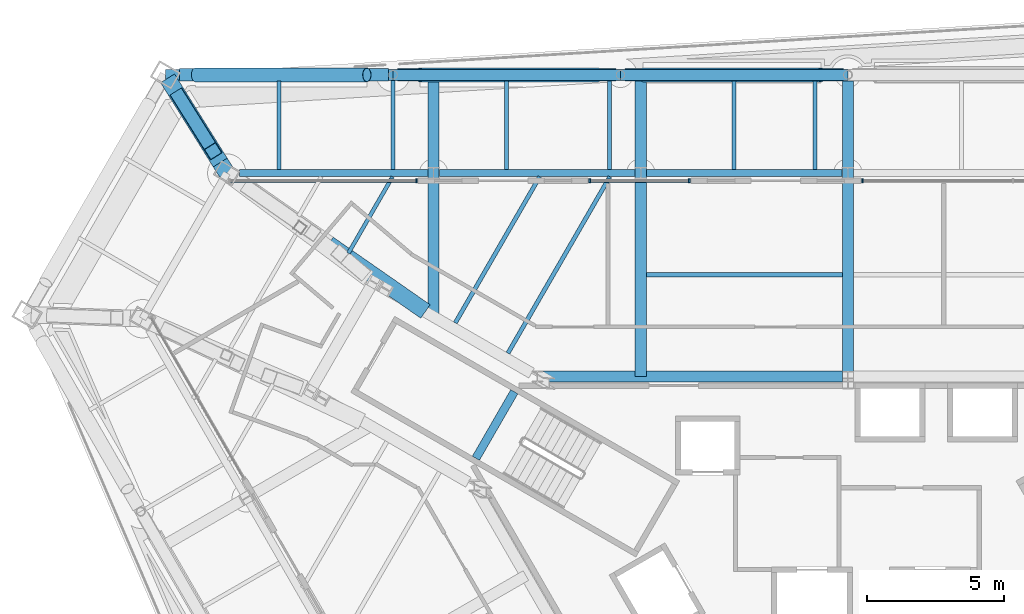
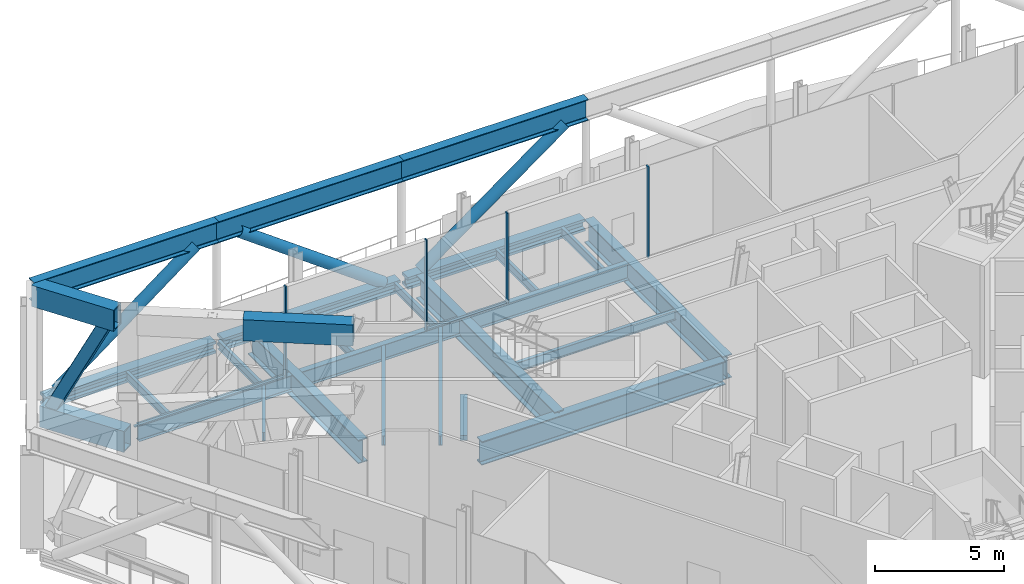
# One storey, part 10 of 25: 27 beams, 10 members, 3 elements without a shape of their own.
"""IFC4 building model written with IfcOpenShell, lengths in metres."""

from ifc_helpers import new_model, si_unit, direction, frame, origin, origin_2d, place, context, subcontext, project, spatial, rectangle, hollow_rectangle, hollow_circle, i_section, extrude, material, material_profile, profile_set, type_object, element, aggregate, save


model = new_model("IFC4")

# Units and contexts
model_context = context("Model", 3, precision=1e-05, world=origin(), true_north=direction((0.0, 1.0)))
body_context = subcontext(model_context, "Body", "Model", "MODEL_VIEW")
ifc_project = project(units=[si_unit("LENGTHUNIT", "METRE"), si_unit("AREAUNIT", "SQUARE_METRE"), si_unit("VOLUMEUNIT", "CUBIC_METRE"), si_unit("PLANEANGLEUNIT", "RADIAN"), si_unit("MASSUNIT", "GRAM", prefix="KILO")], contexts=[model_context])

# Site, building, storey
site_placement = place(None, origin())
site = spatial("IfcSite", under=ifc_project, at=site_placement, CompositionType="ELEMENT")
building_placement = place(site_placement, origin())
building = spatial("IfcBuilding", under=site, at=building_placement, Name="Verrane Prism Tower", CompositionType="ELEMENT")
storey_placement = place(building_placement, frame((0.0, 0.0, 143.199951171875)))
storey = spatial("IfcBuildingStorey", under=building, at=storey_placement, Name="L35", CompositionType="ELEMENT", Elevation=143.199951171875)

# Beams
ifc_material_1 = material(Name="Steel A992", Category="steel")
ifc_material_profile_1 = material_profile(ifc_material_1, i_section(OverallWidth=0.45458984375, OverallDepth=0.56884765625, WebThickness=0.077880859375, FlangeThickness=0.124755859375, FilletRadius=0.01513671875, at=origin_2d()), Name="W14x730")
ifc_profile_set_1 = profile_set([ifc_material_profile_1], Name="Steel A992")
beam_type_1 = type_object("IfcBeamType", Name="Belt truss chord W14x730", PredefinedType="BEAM", material=ifc_profile_set_1)
for number, where, z_axis, x_axis, name in (
    (1, (-0.16259765625, 20.18994140625, -0.445556640625), (-1.0, 0.0, 0.0), (0.0, -1.0, 0.0), "Belt truss chord L35"),
    (2, (-8.45263671875, 20.18994140625, -0.445556640625), (-1.0, 0.0, 0.0), (0.0, -1.0, 0.0), "Belt truss chord L35"),
):
    element("IfcBeam", number, at=place(storey_placement, frame(where, z_axis=z_axis, x_axis=x_axis)), inside=storey, type_object=beam_type_1, Name=name, PredefinedType="BEAM", context=body_context, shape_type="SweptSolid", body=[
        extrude(i_section(OverallWidth=0.45458984375, OverallDepth=0.56884765625, WebThickness=0.077880859375, FlangeThickness=0.124755859375, FilletRadius=0.01513671875, at=origin_2d()), origin(), (0.0, 0.0, 1.0), 7.96484375),
    ])
beam_1_placement = place(storey_placement, frame((-16.74267578125, 20.18994140625, -0.445556640625), z_axis=(-1.0, 0.0, 0.0), x_axis=(0.0, -1.0, 0.0)))
element("IfcBeam", 3, at=beam_1_placement, inside=storey, type_object=beam_type_1, Name="Belt truss chord L35", PredefinedType="BEAM", context=body_context, shape_type="SweptSolid", body=[
    extrude(i_section(OverallWidth=0.45458984375, OverallDepth=0.56884765625, WebThickness=0.077880859375, FlangeThickness=0.124755859375, FilletRadius=0.01513671875, at=origin_2d()), origin(), (0.0, 0.0, 1.0), 7.61767578125),
])
ifc_material_2 = material(Name="Steel A992", Category="steel")
ifc_material_profile_2 = material_profile(ifc_material_2, i_section(OverallWidth=0.4013671875, OverallDepth=1.000732421875, WebThickness=0.01904296875, FlangeThickness=0.0361328125, FilletRadius=0.030029296875, at=origin_2d()), Name="W40x249")
ifc_profile_set_2 = profile_set([ifc_material_profile_2], Name="Steel A992")
beam_type_2 = type_object("IfcBeamType", Name="Belt truss chord W40x249", PredefinedType="BEAM", material=ifc_profile_set_2)
for number, where, z_axis, x_axis, name in (
    (4, (0.0, 20.18994140625, 4.939697265625), (-1.0, 0.0, 0.0), (0.0, -1.0, 0.0), "Belt truss chord L35"),
    (5, (-8.2900390625, 20.18994140625, 4.939697265625), (-1.0, 0.0, 0.0), (0.0, -1.0, 0.0), "Belt truss chord L35"),
):
    element("IfcBeam", number, at=place(storey_placement, frame(where, z_axis=z_axis, x_axis=x_axis)), inside=storey, type_object=beam_type_2, Name=name, PredefinedType="BEAM", context=body_context, shape_type="SweptSolid", body=[
        extrude(i_section(OverallWidth=0.4013671875, OverallDepth=1.000732421875, WebThickness=0.01904296875, FlangeThickness=0.0361328125, FilletRadius=0.030029296875, at=origin_2d()), origin(), (0.0, 0.0, 1.0), 8.2900390625),
    ])
beam_2_placement = place(storey_placement, frame((-16.580078125, 20.18994140625, 4.939697265625), z_axis=(-1.0, 0.0, 0.0), x_axis=(0.0, -1.0, 0.0)))
element("IfcBeam", 6, at=beam_2_placement, inside=storey, type_object=beam_type_2, Name="Belt truss chord L35", PredefinedType="BEAM", context=body_context, shape_type="SweptSolid", body=[
    extrude(i_section(OverallWidth=0.4013671875, OverallDepth=1.000732421875, WebThickness=0.01904296875, FlangeThickness=0.0361328125, FilletRadius=0.030029296875, at=origin_2d()), origin(), (0.0, 0.0, 1.0), 8.2998046875),
])

# Members
ifc_material_3 = material(Name="Steel A500 Grade C", Category="steel")
ifc_material_profile_3 = material_profile(ifc_material_3, hollow_circle(Radius=0.25390625, WallThickness=0.0126953125, at=origin_2d()), Name="HSS20.000x0.500")
ifc_profile_set_3 = profile_set([ifc_material_profile_3], Name="Steel A500 Grade C")
member_type_1 = type_object("IfcMemberType", Name="Belt truss diagonal HSS20.000x0.500", PredefinedType="BRACE", material=ifc_profile_set_3)
for number, where, z_axis, x_axis, name in (
    (7, (-7.461669921875, 20.18994140625, -0.160888671875), (0.809215173092, 0.0, 0.587512385944), (0.0, 1.0, 0.0), "Belt truss diagonal L35"),
    (8, (-9.118408203125, 20.18994140625, -0.160888671875), (-0.809215173092, 0.0, 0.587512385944), (0.0, -1.0, 0.0), "Belt truss diagonal L35"),
):
    element("IfcMember", number, at=place(storey_placement, frame(where, z_axis=z_axis, x_axis=x_axis)), inside=storey, type_object=member_type_1, Name=name, PredefinedType="BRACE", context=body_context, shape_type="SweptSolid", body=[
        extrude(hollow_circle(Radius=0.25390625, WallThickness=0.0126953125, at=origin_2d()), origin(), (0.0, 0.0, 1.0), 8.016845703125),
    ])
member_1_placement = place(storey_placement, frame((-23.77880859375, 20.18994140625, -0.160888671875), z_axis=(0.798371479892, 0.0, 0.602165243181), x_axis=(0.0, 1.0, 0.0)))
element("IfcMember", 9, at=member_1_placement, inside=storey, type_object=member_type_1, Name="Belt truss diagonal L35", PredefinedType="BRACE", context=body_context, shape_type="SweptSolid", body=[
    extrude(hollow_circle(Radius=0.25390625, WallThickness=0.0126953125, at=origin_2d()), origin(), (0.0, 0.0, 1.0), 7.82177734375),
])

# Beams
ifc_material_4 = material(Name="Steel A992", Category="steel")
ifc_material_profile_4 = material_profile(ifc_material_4, i_section(OverallWidth=0.140380859375, OverallDepth=0.40380859375, WebThickness=0.007080078125, FlangeThickness=0.01123046875, FilletRadius=0.01025390625, at=origin_2d()), Name="W16x31")
ifc_profile_set_4 = profile_set([ifc_material_profile_4], Name="Steel A992")
beam_type_3 = type_object("IfcBeamType", Name="Floor beam W16x31", PredefinedType="BEAM", material=ifc_profile_set_4)
for number, where, z_axis, x_axis, name in (
    (10, (-1.199951171875, 16.743408203125, -0.36181640625), (0.0, 1.0, 0.0), (-1.0, 0.0, 0.0), "Floor beam L35"),
    (11, (-4.146728515625, 16.743408203125, -0.36181640625), (0.0, 1.0, 0.0), (-1.0, 0.0, 0.0), "Floor beam L35"),
    (12, (-8.693359375, 16.743408203125, -0.36181640625), (0.0, 1.0, 0.0), (-1.0, 0.0, 0.0), "Floor beam L35"),
    (13, (-12.43994140625, 16.743408203125, -0.36181640625), (0.0, 1.0, 0.0), (-1.0, 0.0, 0.0), "Floor beam L35"),
):
    element("IfcBeam", number, at=place(storey_placement, frame(where, z_axis=z_axis, x_axis=x_axis)), inside=storey, type_object=beam_type_3, Name=name, PredefinedType="BEAM", context=body_context, shape_type="SweptSolid", body=[
        extrude(i_section(OverallWidth=0.140380859375, OverallDepth=0.40380859375, WebThickness=0.007080078125, FlangeThickness=0.01123046875, FilletRadius=0.01025390625, at=origin_2d()), origin(), (0.0, 0.0, 1.0), 3.218994140625),
    ])
beam_3_placement = place(storey_placement, frame((-16.586669921875, 16.743408203125, -0.36181640625), z_axis=(0.0, 1.0, 0.0), x_axis=(-1.0, 0.0, 0.0)))
element("IfcBeam", 14, at=beam_3_placement, inside=storey, type_object=beam_type_3, Name="Floor beam L35", PredefinedType="BEAM", context=body_context, shape_type="SweptSolid", body=[
    extrude(i_section(OverallWidth=0.140380859375, OverallDepth=0.40380859375, WebThickness=0.007080078125, FlangeThickness=0.01123046875, FilletRadius=0.01025390625, at=origin_2d()), origin(), (0.0, 0.0, 1.0), 3.24609375),
])
beam_4_placement = place(storey_placement, frame((-20.7333984375, 16.743408203125, -0.36181640625), z_axis=(0.0, 1.0, 0.0), x_axis=(-1.0, 0.0, 0.0)))
element("IfcBeam", 15, at=beam_4_placement, inside=storey, type_object=beam_type_3, Name="Floor beam L35", PredefinedType="BEAM", context=body_context, shape_type="SweptSolid", body=[
    extrude(i_section(OverallWidth=0.140380859375, OverallDepth=0.40380859375, WebThickness=0.007080078125, FlangeThickness=0.01123046875, FilletRadius=0.01025390625, at=origin_2d()), origin(), (0.0, 0.0, 1.0), 3.218994140625),
])
beam_5_placement = place(storey_placement, frame((-18.20703125, 13.688232421875, -0.36181640625), z_axis=(0.499947822806, 0.866055526205, 0.0), x_axis=(-0.866055526205, 0.499947822806, 0.0)))
element("IfcBeam", 16, at=beam_5_placement, inside=storey, type_object=beam_type_3, Name="Floor beam L35", PredefinedType="BEAM", context=body_context, shape_type="SweptSolid", body=[
    extrude(i_section(OverallWidth=0.140380859375, OverallDepth=0.40380859375, WebThickness=0.007080078125, FlangeThickness=0.01123046875, FilletRadius=0.01025390625, at=origin_2d()), origin(), (0.0, 0.0, 1.0), 3.219482421875),
])
ifc_material_5 = material(Name="Steel A992", Category="steel")
ifc_material_profile_5 = material_profile(ifc_material_5, i_section(OverallWidth=0.15234375, OverallDepth=0.449462890625, WebThickness=0.007568359375, FlangeThickness=0.0107421875, FilletRadius=0.01025390625, at=origin_2d()), Name="W18x35")
ifc_profile_set_5 = profile_set([ifc_material_profile_5], Name="Steel A992")
beam_type_4 = type_object("IfcBeamType", Name="Floor beam W18x35", PredefinedType="BEAM", material=ifc_profile_set_5)
beam_6_placement = place(storey_placement, frame((-7.347900390625, 12.905029296875, -0.384765625), z_axis=(1.0, 0.0, 0.0), x_axis=(0.0, 1.0, 0.0)))
element("IfcBeam", 17, at=beam_6_placement, inside=storey, type_object=beam_type_4, Name="Floor beam L35", PredefinedType="BEAM", context=body_context, shape_type="SweptSolid", body=[
    extrude(i_section(OverallWidth=0.15234375, OverallDepth=0.449462890625, WebThickness=0.007568359375, FlangeThickness=0.0107421875, FilletRadius=0.01025390625, at=origin_2d()), origin(), (0.0, 0.0, 1.0), 7.14599609375),
])
beam_7_placement = place(storey_placement, frame((-12.39111328125, 10.0439453125, -0.384765625), z_axis=(0.499999386358, 0.86602575807, 0.0), x_axis=(-0.86602575807, 0.499999386358, 0.0)))
element("IfcBeam", 18, at=beam_7_placement, inside=storey, type_object=beam_type_4, Name="Floor beam L35", PredefinedType="BEAM", context=body_context, shape_type="SweptSolid", body=[
    extrude(i_section(OverallWidth=0.15234375, OverallDepth=0.449462890625, WebThickness=0.007568359375, FlangeThickness=0.0107421875, FilletRadius=0.01025390625, at=origin_2d()), origin(), (0.0, 0.0, 1.0), 7.427734375),
])
beam_8_placement = place(storey_placement, frame((-14.310302734375, 11.148681640625, -0.384765625), z_axis=(0.49998467404, 0.866034252051, 0.0), x_axis=(-0.866034252051, 0.49998467404, 0.0)))
element("IfcBeam", 19, at=beam_8_placement, inside=storey, type_object=beam_type_4, Name="Floor beam L35", PredefinedType="BEAM", context=body_context, shape_type="SweptSolid", body=[
    extrude(i_section(OverallWidth=0.15234375, OverallDepth=0.449462890625, WebThickness=0.007568359375, FlangeThickness=0.0107421875, FilletRadius=0.01025390625, at=origin_2d()), origin(), (0.0, 0.0, 1.0), 6.152099609375),
])

# Curtain wall, member
ifc_material_6 = material(Name="Aluminium framed insulated glazing", Category="aluminium")
curtain_wall_type = type_object("IfcCurtainWallType", Name="Curtain wall CW-B 5600 module", PredefinedType="NOTDEFINED", material=ifc_material_6)
curtain_wall_1_placement = place(storey_placement, origin())
curtain_wall_1 = element("IfcCurtainWall", 20, at=curtain_wall_1_placement, inside=storey, type_object=curtain_wall_type, Name="Refuge lounge glazing north face L35 1", PredefinedType="NOTDEFINED")
ifc_material_7 = material(Name="Aluminium alloy 6063-T6", Category="aluminium")
ifc_material_profile_6 = material_profile(ifc_material_7, rectangle(XDim=0.159912109375, YDim=0.06005859375, at=origin_2d()), Name="Mullion 60x160 aluminium")
ifc_profile_set_6 = profile_set([ifc_material_profile_6], Name="Aluminium alloy 6063-T6")
member_type_2 = type_object("IfcMemberType", Name="Mullion 60x160 aluminium", PredefinedType="MULLION", material=ifc_profile_set_6)
member_2_placement = place(storey_placement, frame((0.537109375, 16.3310546875, 0.0), z_axis=(0.0, 0.0, 1.0), x_axis=(0.0, -1.0, 0.0)))
member_2 = element("IfcMember", 21, at=member_2_placement, type_object=member_type_2, Name="CW35.2.1 mullion 5", PredefinedType="MULLION", context=body_context, shape_type="SweptSolid", body=[
    extrude(rectangle(XDim=0.159912109375, YDim=0.06005859375, at=origin_2d()), origin(), (0.0, 0.0, 1.0), 4.322509765625),
])
aggregate(curtain_wall_1, [member_2])

# Curtain wall, members
curtain_wall_2_placement = place(storey_placement, origin())
curtain_wall_2 = element("IfcCurtainWall", 22, at=curtain_wall_2_placement, inside=storey, type_object=curtain_wall_type, Name="Refuge lounge glazing north face L35 2", PredefinedType="NOTDEFINED")
member_3_placement = place(storey_placement, frame((-5.782958984375, 16.3310546875, 0.0), z_axis=(0.0, 0.0, 1.0), x_axis=(0.0, -1.0, 0.0)))
member_3 = element("IfcMember", 23, at=member_3_placement, type_object=member_type_2, Name="CW35.2.2 mullion 1", PredefinedType="MULLION", context=body_context, shape_type="SweptSolid", body=[
    extrude(rectangle(XDim=0.159912109375, YDim=0.06005859375, at=origin_2d()), origin(), (0.0, 0.0, 1.0), 4.322509765625),
])
member_4_placement = place(storey_placement, frame((-9.406982421875, 16.3310546875, 0.0), z_axis=(0.0, 0.0, 1.0), x_axis=(0.0, -1.0, 0.0)))
member_4 = element("IfcMember", 24, at=member_4_placement, type_object=member_type_2, Name="CW35.2.2 mullion 2", PredefinedType="MULLION", context=body_context, shape_type="SweptSolid", body=[
    extrude(rectangle(XDim=0.159912109375, YDim=0.06005859375, at=origin_2d()), origin(), (0.0, 0.0, 1.0), 4.322509765625),
])

# Curtain wall, member
curtain_wall_3_placement = place(storey_placement, origin())
curtain_wall_3 = element("IfcCurtainWall", 25, at=curtain_wall_3_placement, inside=storey, type_object=curtain_wall_type, Name="Refuge lounge glazing north face L35 3", PredefinedType="NOTDEFINED")
member_5_placement = place(storey_placement, frame((-15.72705078125, 16.3310546875, 0.0), z_axis=(0.0, 0.0, 1.0), x_axis=(0.0, -1.0, 0.0)))
member_5 = element("IfcMember", 26, at=member_5_placement, type_object=member_type_2, Name="CW35.2.3 mullion 1", PredefinedType="MULLION", context=body_context, shape_type="SweptSolid", body=[
    extrude(rectangle(XDim=0.159912109375, YDim=0.06005859375, at=origin_2d()), origin(), (0.0, 0.0, 1.0), 4.322509765625),
])

# Beams
ifc_material_8 = material(Name="Steel A572 Grade 50", Category="steel")
ifc_material_profile_7 = material_profile(ifc_material_8, hollow_rectangle(XDim=0.60009765625, YDim=1.0, WallThickness=0.06005859375, at=origin_2d()), Name="BOX 1000x600x60")
ifc_profile_set_7 = profile_set([ifc_material_profile_7], Name="Steel A572 Grade 50")
beam_type_5 = type_object("IfcBeamType", Name="Outrigger truss chord BOX 1000x600x60", PredefinedType="BEAM", material=ifc_profile_set_7)
beam_9_placement = place(storey_placement, frame((-24.60986328125, 19.758056640625, -0.659912109375), z_axis=(0.53048343398, -0.847695302731, 0.0), x_axis=(0.847695302731, 0.53048343398, 0.0)))
element("IfcBeam", 27, at=beam_9_placement, inside=storey, type_object=beam_type_5, Name="Outrigger truss chord L35", PredefinedType="BEAM", context=body_context, shape_type="SweptSolid", body=[
    extrude(hollow_rectangle(XDim=0.60009765625, YDim=1.0, WallThickness=0.06005859375, at=origin_2d()), origin(), (0.0, 0.0, 1.0), 3.713623046875),
])
beam_10_placement = place(storey_placement, frame((-24.80029296875, 20.062744140625, 4.93994140625), z_axis=(0.530423221315, -0.847732980537, 0.0), x_axis=(0.847732980537, 0.530423221315, 0.0)))
element("IfcBeam", 28, at=beam_10_placement, inside=storey, type_object=beam_type_5, Name="Outrigger truss chord L35", PredefinedType="BEAM", context=body_context, shape_type="SweptSolid", body=[
    extrude(hollow_rectangle(XDim=0.60009765625, YDim=1.0, WallThickness=0.06005859375, at=origin_2d()), origin(), (0.0, 0.0, 1.0), 3.6201171875),
])
beam_11_placement = place(storey_placement, frame((-18.929931640625, 14.02490234375, 4.93994140625), z_axis=(0.820503788975, -0.57164108694, 0.0), x_axis=(0.57164108694, 0.820503788975, 0.0)))
element("IfcBeam", 29, at=beam_11_placement, inside=storey, type_object=beam_type_5, Name="Outrigger truss chord L35", PredefinedType="BEAM", context=body_context, shape_type="SweptSolid", body=[
    extrude(hollow_rectangle(XDim=0.60009765625, YDim=1.0, WallThickness=0.06005859375, at=origin_2d()), origin(), (0.0, 0.0, 1.0), 4.3037109375),
])

# Member
ifc_material_9 = material(Name="Steel A500 Grade C", Category="steel")
ifc_material_profile_8 = material_profile(ifc_material_9, hollow_rectangle(XDim=0.508056640625, YDim=0.508056640625, WallThickness=0.01904296875, InnerFilletRadius=0.009521484375, OuterFilletRadius=0.028564453125, at=origin_2d()), Name="HSS20x20x3/4")
ifc_profile_set_8 = profile_set([ifc_material_profile_8], Name="Steel A500 Grade C")
member_type_3 = type_object("IfcMemberType", Name="Outrigger truss diagonal HSS20x20x3/4", PredefinedType="BRACE", material=ifc_profile_set_8)
member_6_placement = place(storey_placement, frame((-24.38037109375, 19.391357421875, -0.219970703125), z_axis=(0.235534813834, -0.376382964019, 0.896024115673), x_axis=(0.847699092427, 0.53047737812, 0.0)))
element("IfcMember", 30, at=member_6_placement, inside=storey, type_object=member_type_3, Name="Outrigger truss diagonal L35", PredefinedType="BRACE", context=body_context, shape_type="SweptSolid", body=[
    extrude(hollow_rectangle(XDim=0.508056640625, YDim=0.508056640625, WallThickness=0.01904296875, InnerFilletRadius=0.009521484375, OuterFilletRadius=0.028564453125, at=origin_2d()), origin(), (0.0, 0.0, 1.0), 5.267578125),
])

# Beams
ifc_material_10 = material(Name="Steel A992", Category="steel")
ifc_material_profile_9 = material_profile(ifc_material_10, i_section(OverallWidth=0.2666015625, OverallDepth=0.7568359375, WebThickness=0.013916015625, FlangeThickness=0.019287109375, FilletRadius=0.0166015625, at=origin_2d()), Name="W30x108")
ifc_profile_set_9 = profile_set([ifc_material_profile_9], Name="Steel A992")
beam_type_6 = type_object("IfcBeamType", Name="Spandrel beam W30x108", PredefinedType="SPANDREL", material=ifc_profile_set_9)
beam_12_placement = place(storey_placement, frame((-0.205810546875, 16.610107421875, -0.538330078125), z_axis=(-1.0, 0.0, 0.0), x_axis=(0.0, -1.0, 0.0)))
element("IfcBeam", 31, at=beam_12_placement, inside=storey, type_object=beam_type_6, Name="Spandrel beam L35", PredefinedType="SPANDREL", context=body_context, shape_type="SweptSolid", body=[
    extrude(i_section(OverallWidth=0.2666015625, OverallDepth=0.7568359375, WebThickness=0.013916015625, FlangeThickness=0.019287109375, FilletRadius=0.0166015625, at=origin_2d()), origin(), (0.0, 0.0, 1.0), 7.138427734375),
])
beam_13_placement = place(storey_placement, frame((-7.755615234375, 16.610107421875, -0.538330078125), z_axis=(-1.0, 0.0, 0.0), x_axis=(0.0, -1.0, 0.0)))
element("IfcBeam", 32, at=beam_13_placement, inside=storey, type_object=beam_type_6, Name="Spandrel beam L35", PredefinedType="SPANDREL", context=body_context, shape_type="SweptSolid", body=[
    extrude(i_section(OverallWidth=0.2666015625, OverallDepth=0.7568359375, WebThickness=0.013916015625, FlangeThickness=0.019287109375, FilletRadius=0.0166015625, at=origin_2d()), origin(), (0.0, 0.0, 1.0), 7.138671875),
])
beam_14_placement = place(storey_placement, frame((-15.3056640625, 16.610107421875, -0.538330078125), z_axis=(-1.0, 0.0, 0.0), x_axis=(0.0, -1.0, 0.0)))
element("IfcBeam", 33, at=beam_14_placement, inside=storey, type_object=beam_type_6, Name="Spandrel beam L35", PredefinedType="SPANDREL", context=body_context, shape_type="SweptSolid", body=[
    extrude(i_section(OverallWidth=0.2666015625, OverallDepth=0.7568359375, WebThickness=0.013916015625, FlangeThickness=0.019287109375, FilletRadius=0.0166015625, at=origin_2d()), origin(), (0.0, 0.0, 1.0), 6.872314453125),
])
ifc_material_11 = material(Name="Concrete C40/50", Category="concrete")
ifc_material_profile_10 = material_profile(ifc_material_11, rectangle(XDim=0.300048828125, YDim=0.25, at=origin_2d()), Name="RC 300x250")
ifc_profile_set_10 = profile_set([ifc_material_profile_10], Name="Concrete C40/50")
beam_type_7 = type_object("IfcBeamType", Name="Stair landing trimmer beam 300x250 concrete C40/50", PredefinedType="BEAM", material=ifc_profile_set_10)
beam_15_placement = place(storey_placement, frame((-13.560546875, 6.212646484375, 2.47509765625), z_axis=(0.500049511043, 0.865996816683, 0.0), x_axis=(-0.865996816683, 0.500049511043, 0.0)))
element("IfcBeam", 34, at=beam_15_placement, inside=storey, type_object=beam_type_7, Name="Stair 2 landing trimmer beam", PredefinedType="BEAM", context=body_context, shape_type="SweptSolid", body=[
    extrude(rectangle(XDim=0.300048828125, YDim=0.25, at=origin_2d()), origin(), (0.0, 0.0, 1.0), 2.800048828125),
])
ifc_material_12 = material(Name="Steel A992", Category="steel")
ifc_material_profile_11 = material_profile(ifc_material_12, i_section(OverallWidth=0.40380859375, OverallDepth=1.11767578125, WebThickness=0.026123046875, FlangeThickness=0.044921875, FilletRadius=0.02001953125, at=origin_2d()), Name="W44x335")
ifc_profile_set_11 = profile_set([ifc_material_profile_11], Name="Steel A992")
beam_type_8 = type_object("IfcBeamType", Name="Transfer girder W44x335", PredefinedType="BEAM", material=ifc_profile_set_11)
beam_16_placement = place(storey_placement, frame((-0.20068359375, 9.199951171875, -0.808837890625), z_axis=(-1.0, 0.0, 0.0), x_axis=(0.0, -1.0, 0.0)))
element("IfcBeam", 35, at=beam_16_placement, inside=storey, type_object=beam_type_8, Name="Transfer girder L35", PredefinedType="BEAM", context=body_context, shape_type="SweptSolid", body=[
    extrude(i_section(OverallWidth=0.40380859375, OverallDepth=1.11767578125, WebThickness=0.026123046875, FlangeThickness=0.044921875, FilletRadius=0.02001953125, at=origin_2d()), origin(), (0.0, 0.0, 1.0), 10.9287109375),
])
for number, where, z_axis, x_axis, name in (
    (36, (0.0, 19.962646484375, -0.71875), (0.0, -1.0, 0.0), (1.0, 0.0, 0.0), "Transfer girder L35"),
    (37, (-7.550048828125, 19.962646484375, -0.71875), (0.0, -1.0, 0.0), (1.0, 0.0, 0.0), "Transfer girder L35"),
):
    element("IfcBeam", number, at=place(storey_placement, frame(where, z_axis=z_axis, x_axis=x_axis)), inside=storey, type_object=beam_type_8, Name=name, PredefinedType="BEAM", context=body_context, shape_type="SweptSolid", body=[
        extrude(i_section(OverallWidth=0.40380859375, OverallDepth=1.11767578125, WebThickness=0.026123046875, FlangeThickness=0.044921875, FilletRadius=0.02001953125, at=origin_2d()), origin(), (0.0, 0.0, 1.0), 10.7626953125),
    ])
beam_17_placement = place(storey_placement, frame((-15.10009765625, 19.962646484375, -0.71875), z_axis=(0.0, -1.0, 0.0), x_axis=(1.0, 0.0, 0.0)))
element("IfcBeam", 38, at=beam_17_placement, inside=storey, type_object=beam_type_8, Name="Transfer girder L35", PredefinedType="BEAM", context=body_context, shape_type="SweptSolid", body=[
    extrude(i_section(OverallWidth=0.40380859375, OverallDepth=1.11767578125, WebThickness=0.026123046875, FlangeThickness=0.044921875, FilletRadius=0.02001953125, at=origin_2d()), origin(), (0.0, 0.0, 1.0), 8.59033203125),
])

# Member
ifc_material_13 = material(Name="Aluminium alloy 6063-T6", Category="aluminium")
ifc_material_profile_12 = material_profile(ifc_material_13, rectangle(XDim=0.1201171875, YDim=0.06005859375, at=origin_2d()), Name="Transom 60x120 aluminium")
ifc_profile_set_12 = profile_set([ifc_material_profile_12], Name="Aluminium alloy 6063-T6")
member_type_4 = type_object("IfcMemberType", Name="Transom 60x120 aluminium", PredefinedType="USERDEFINED", material=ifc_profile_set_12)
member_7_placement = place(storey_placement, frame((-5.81298828125, 16.3310546875, 0.030029296875), z_axis=(-1.0, 0.0, 0.0), x_axis=(0.0, -1.0, 0.0)))
member_7 = element("IfcMember", 39, at=member_7_placement, type_object=member_type_4, Name="CW35.2.2 transom 1", ObjectType="TRANSOM", PredefinedType="USERDEFINED", context=body_context, shape_type="SweptSolid", body=[
    extrude(rectangle(XDim=0.1201171875, YDim=0.06005859375, at=origin_2d()), origin(), (0.0, 0.0, 1.0), 3.56396484375),
])

aggregate(curtain_wall_2, [member_3, member_4, member_7])

member_8_placement = place(storey_placement, frame((-15.757080078125, 16.3310546875, 0.030029296875), z_axis=(-1.0, 0.0, 0.0), x_axis=(0.0, -1.0, 0.0)))
member_8 = element("IfcMember", 40, at=member_8_placement, type_object=member_type_4, Name="CW35.2.3 transom 1", ObjectType="TRANSOM", PredefinedType="USERDEFINED", context=body_context, shape_type="SweptSolid", body=[
    extrude(rectangle(XDim=0.1201171875, YDim=0.06005859375, at=origin_2d()), origin(), (0.0, 0.0, 1.0), 6.753173828125),
])

aggregate(curtain_wall_3, [member_5, member_8])

save(model, "model.ifc")
